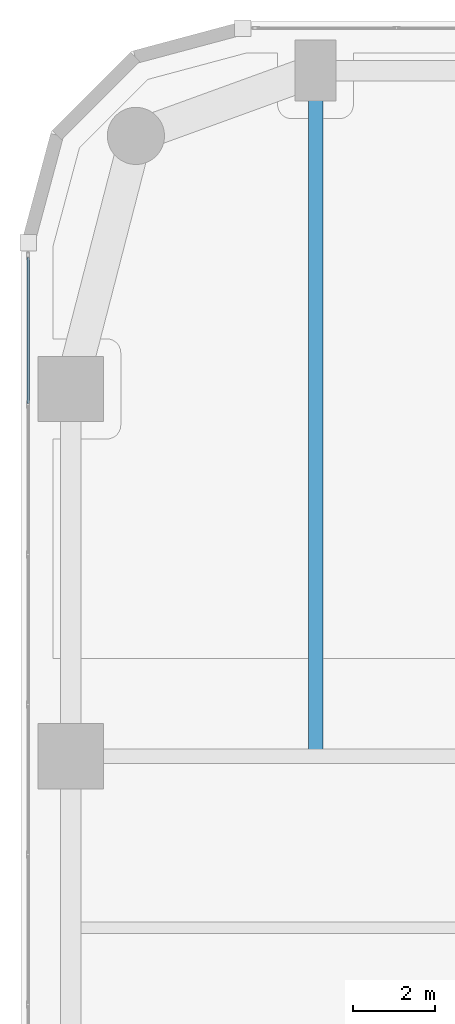
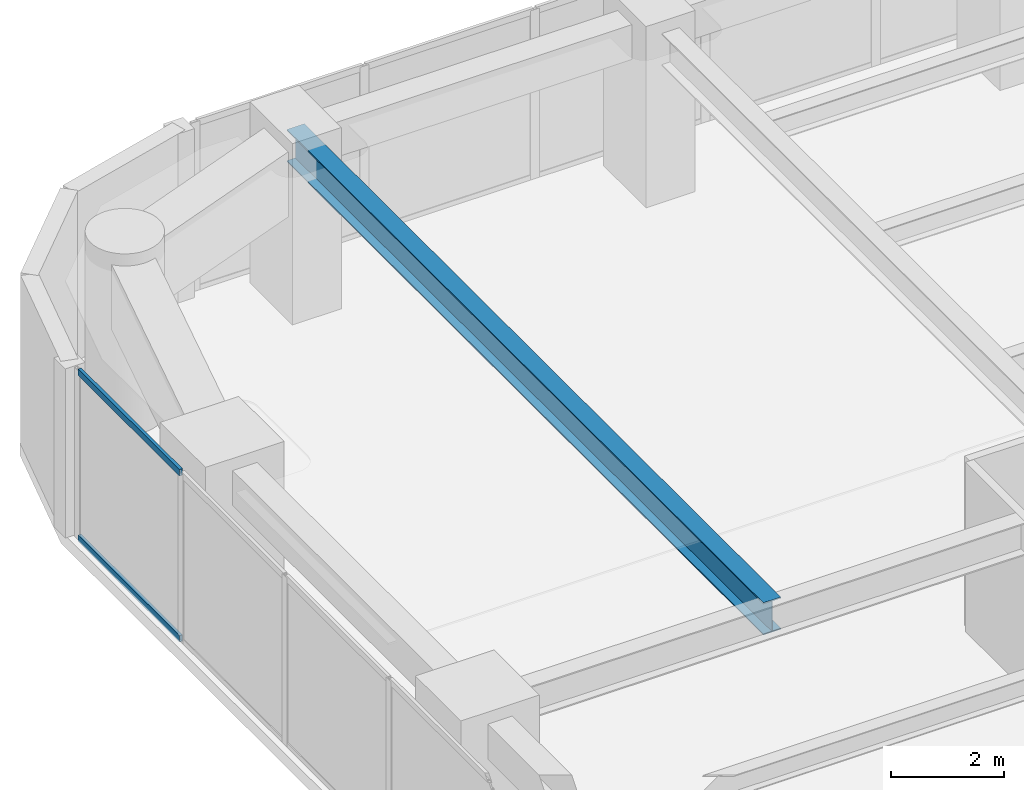
# One storey, part 13 of 29: 2 members, 1 beam, 1 element without a shape of its own.
"""IFC4 building model written with IfcOpenShell, lengths in metres."""

from ifc_helpers import new_model, si_unit, direction, frame, origin, origin_2d, place, context, subcontext, project, spatial, hollow_rectangle, i_section, extrude, material, layer, layer_set, material_profile, profile_set, type_object, element, aggregate, save


model = new_model("IFC4")

# Units and contexts
model_context = context("Model", 3, precision=1e-05, world=origin(), true_north=direction((0.0, 1.0)))
body_context = subcontext(model_context, "Body", "Model", "MODEL_VIEW")
ifc_project = project(units=[si_unit("LENGTHUNIT", "METRE"), si_unit("AREAUNIT", "SQUARE_METRE"), si_unit("VOLUMEUNIT", "CUBIC_METRE"), si_unit("PLANEANGLEUNIT", "RADIAN"), si_unit("MASSUNIT", "GRAM", prefix="KILO")], contexts=[model_context])

# Site, building, storey
site_placement = place(None, origin())
site = spatial("IfcSite", under=ifc_project, at=site_placement, CompositionType="ELEMENT")
building_placement = place(site_placement, origin())
building = spatial("IfcBuilding", under=site, at=building_placement, Name="Kiyonajd Concourse Tower", CompositionType="ELEMENT")
storey_placement = place(building_placement, frame((0.0, 0.0, 29.39990234375)))
storey = spatial("IfcBuildingStorey", under=building, at=storey_placement, Name="L08", CompositionType="ELEMENT", Elevation=29.39990234375)

# Beam
ifc_material_1 = material(Name="Steel ASTM A992 Grade 50", Category="steel")
ifc_material_profile_1 = material_profile(ifc_material_1, i_section(OverallWidth=0.35498046875, OverallDepth=0.695068359375, WebThickness=0.015380859375, FlangeThickness=0.02490234375, at=origin_2d()), Name="W690X217")
ifc_profile_set_1 = profile_set([ifc_material_profile_1], Name="Steel ASTM A992 Grade 50")
beam_type = type_object("IfcBeamType", Name="BM-TWR-690", PredefinedType="BEAM", material=ifc_profile_set_1)
beam_placement = place(storey_placement, frame((25.199951171875, 44.39990234375, 3.29248046875), z_axis=(0.0, 1.0, 0.0), x_axis=(-1.0, 0.0, 0.0)))
element("IfcBeam", 1, at=beam_placement, inside=storey, type_object=beam_type, Name="L08 North Lease Girder", PredefinedType="BEAM", context=body_context, shape_type="SweptSolid", body=[
    extrude(i_section(OverallWidth=0.35498046875, OverallDepth=0.695068359375, WebThickness=0.015380859375, FlangeThickness=0.02490234375, at=origin_2d()), origin(), (0.0, 0.0, 1.0), 16.800048828125),
])

# Curtain wall, members
ifc_material_2 = material(Name="Thermally Broken Anodised Aluminium", Category="aluminium")
ifc_layer = layer(ifc_material_2, 0.179931640625)
ifc_layer_set = layer_set([ifc_layer], Name="Thermally Broken Anodised Aluminium")
curtain_wall_type = type_object("IfcCurtainWallType", Name="CW-SYS-02", PredefinedType="NOTDEFINED", material=ifc_layer_set)
curtain_wall_placement = place(storey_placement, origin())
curtain_wall = element("IfcCurtainWall", 2, at=curtain_wall_placement, inside=storey, type_object=curtain_wall_type, Name="L08 Unitised Curtain Wall CW2", PredefinedType="NOTDEFINED")
ifc_material_profile_2 = material_profile(ifc_material_2, hollow_rectangle(XDim=0.06494140625, YDim=0.139892578125, WallThickness=0.00390625, at=origin_2d()), Name="TRAN-65x140")
ifc_profile_set_2 = profile_set([ifc_material_profile_2], Name="Thermally Broken Anodised Aluminium")
member_type = type_object("IfcMemberType", Name="MB-CW-TRAN1", PredefinedType="USERDEFINED", material=ifc_profile_set_2)
member_1_placement = place(storey_placement, frame((18.159912109375, 53.04833984375, 0.03271484375), z_axis=(0.0, 1.0, 0.0), x_axis=(-1.0, 0.0, 0.0)))
member_1 = element("IfcMember", 3, at=member_1_placement, type_object=member_type, Name="CW2 transom 6.1", ObjectType="TRANSOM", PredefinedType="USERDEFINED", context=body_context, shape_type="SweptSolid", body=[
    extrude(hollow_rectangle(XDim=0.06494140625, YDim=0.139892578125, WallThickness=0.00390625, at=origin_2d()), origin(), (0.0, 0.0, 1.0), 3.575439453125),
])
member_2_placement = place(storey_placement, frame((18.159912109375, 53.04833984375, 3.607666015625), z_axis=(0.0, 1.0, 0.0), x_axis=(-1.0, 0.0, 0.0)))
member_2 = element("IfcMember", 4, at=member_2_placement, type_object=member_type, Name="CW2 transom 6.2", ObjectType="TRANSOM", PredefinedType="USERDEFINED", context=body_context, shape_type="SweptSolid", body=[
    extrude(hollow_rectangle(XDim=0.06494140625, YDim=0.139892578125, WallThickness=0.00390625, at=origin_2d()), origin(), (0.0, 0.0, 1.0), 3.575439453125),
])
aggregate(curtain_wall, [member_1, member_2])

save(model, "model.ifc")
